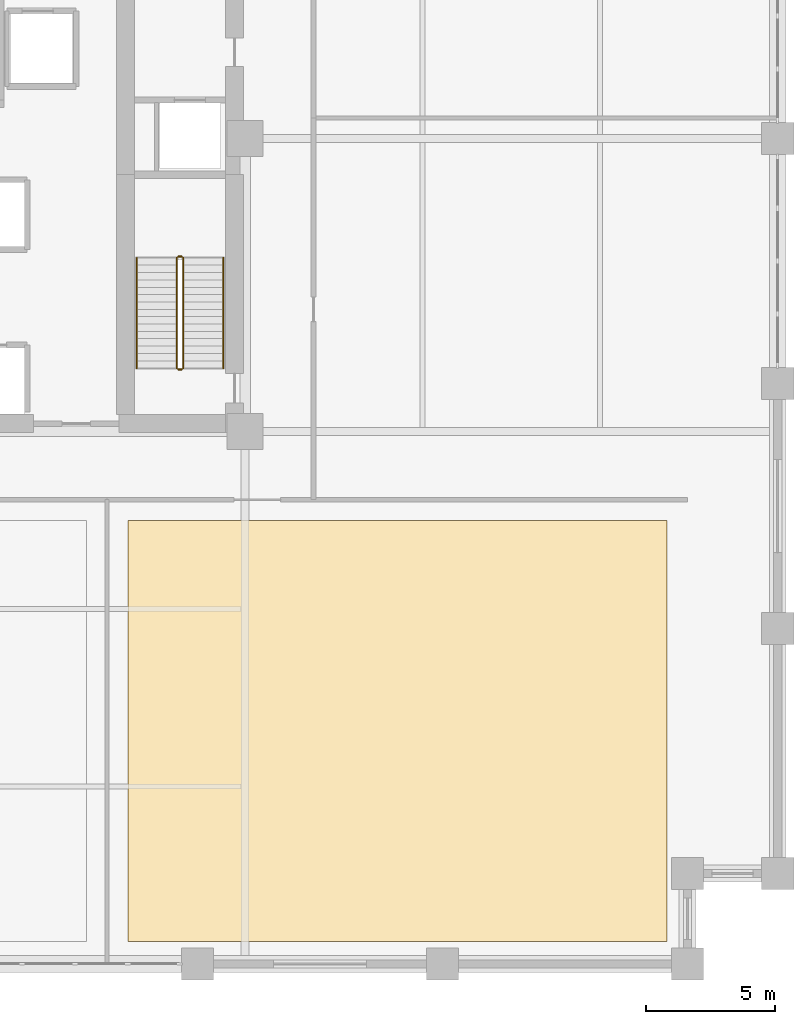
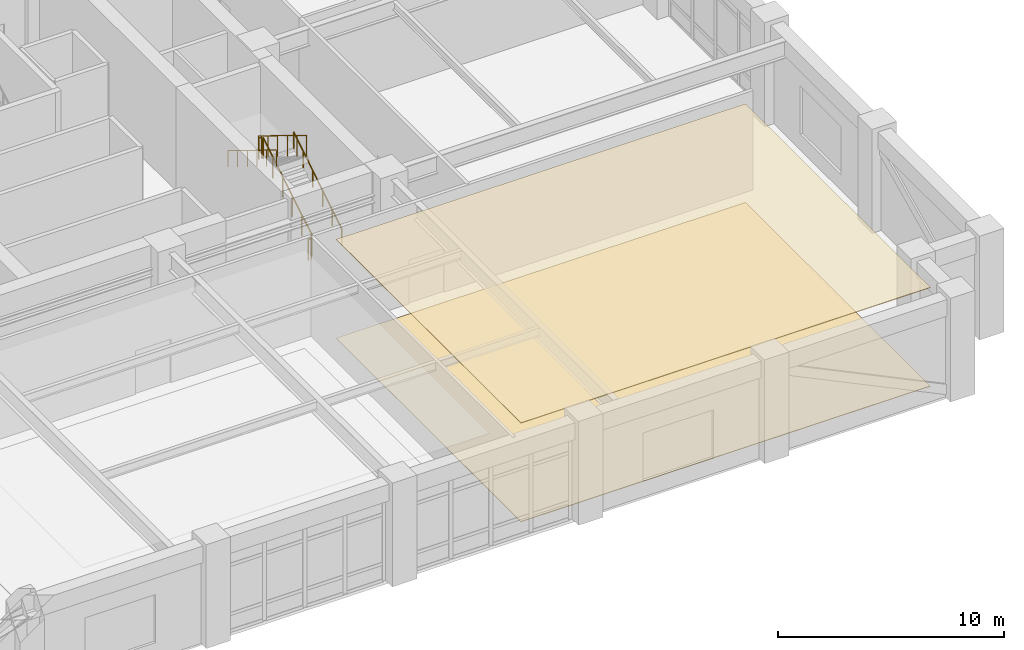
# One storey, part 18 of 21: 6 railings, 2 coverings.
"""IFC4 building model written with IfcOpenShell, lengths in metres."""

from ifc_helpers import new_model, si_unit, direction, frame, origin, origin_2d, place, context, subcontext, project, spatial, polyline, circle, outline, extrude, material, layer, layer_set, type_object, element, save


model = new_model("IFC4")

# Units and contexts
model_context = context("Model", 3, precision=1e-05, world=origin(), true_north=direction((0.0, 1.0)))
body_context = subcontext(model_context, "Body", "Model", "MODEL_VIEW")
ifc_project = project(units=[si_unit("LENGTHUNIT", "METRE"), si_unit("AREAUNIT", "SQUARE_METRE"), si_unit("VOLUMEUNIT", "CUBIC_METRE"), si_unit("PLANEANGLEUNIT", "RADIAN"), si_unit("MASSUNIT", "GRAM", prefix="KILO")], contexts=[model_context])

# Site, building, storey
site_placement = place(None, origin())
site = spatial("IfcSite", under=ifc_project, at=site_placement, CompositionType="ELEMENT")
building_placement = place(site_placement, origin())
building = spatial("IfcBuilding", under=site, at=building_placement, Name="Nhamokura Convention Tower", CompositionType="ELEMENT")
storey_placement = place(building_placement, frame((0.0, 0.0, 6.64990234375)))
storey = spatial("IfcBuildingStorey", under=building, at=storey_placement, Name="L01", CompositionType="ELEMENT", Elevation=6.64990234375)

# Coverings
ifc_material_1 = material(Name="Anodised bronze aluminium ceiling baffle", Category="aluminium")
ifc_layer_1 = layer(ifc_material_1, 0.0400390625)
ifc_layer_set_1 = layer_set([ifc_layer_1], Name="BronzeBaffleCeiling_40")
covering_type_1 = type_object("IfcCoveringType", Name="BronzeBaffleCeiling_40", PredefinedType="CEILING", material=ifc_layer_set_1)
covering_1_placement = place(storey_placement, frame((0.0, 0.0, 5.320068359375)))
element("IfcCovering", 1, at=covering_1_placement, inside=storey, type_object=covering_type_1, Name="L01 Suspended Ceiling 04", PredefinedType="CEILING", context=body_context, shape_type="SweptSolid", body=[
    extrude(outline(polyline([(38.800048828125, 0.860107421875), (59.699951171875, 0.860107421875), (59.699951171875, 17.199951171875), (38.800048828125, 17.199951171875), (38.800048828125, 0.860107421875)])), origin(), (0.0, 0.0, 1.0), 0.0400390625),
])
ifc_material_2 = material(Name="Polished Sabana granite terrazzo", Category="masonry")
ifc_layer_2 = layer(ifc_material_2, 0.030029296875)
ifc_layer_set_2 = layer_set([ifc_layer_2], Name="SabanaTerrazzoFlooring_30")
covering_type_2 = type_object("IfcCoveringType", Name="SabanaTerrazzoFlooring_30", PredefinedType="FLOORING", material=ifc_layer_set_2)
covering_2_placement = place(storey_placement, origin())
element("IfcCovering", 2, at=covering_2_placement, inside=storey, type_object=covering_type_2, Name="L01 Finish Flooring 04", PredefinedType="FLOORING", context=body_context, shape_type="SweptSolid", body=[
    extrude(outline(polyline([(38.800048828125, 0.860107421875), (59.699951171875, 0.860107421875), (59.699951171875, 17.199951171875), (38.800048828125, 17.199951171875), (38.800048828125, 0.860107421875)])), origin(), (0.0, 0.0, 1.0), 0.030029296875),
])

# Railings
ifc_material_3 = material(Name="Anodised bronze stainless steel", Category="steel")
railing_type_1 = type_object("IfcRailingType", Name="StairWallHandrail_900", PredefinedType="HANDRAIL", material=ifc_material_3)
railing_1_placement = place(storey_placement, frame((42.5, 23.10009765625, 0.175048828125)))
element("IfcRailing", 3, at=railing_1_placement, inside=storey, type_object=railing_type_1, Name="L01 ST-02 stair handrail 1", PredefinedType="HANDRAIL", context=body_context, shape_type="SweptSolid", body=[
    extrude(circle(Radius=0.02392578125, at=origin_2d()), frame((0.0, 0.0, 0.8759765625), z_axis=(0.0, 0.852165895541, 0.523271713813), x_axis=(-1.0, 0.0, 0.0)), (0.0, 0.0, 1.0), 5.0166015625),
    extrude(circle(Radius=0.02099609375, at=origin_2d()), origin(), (0.0, 0.0, 1.0), 0.851806640625),
    extrude(circle(Radius=0.02099609375, at=origin_2d()), frame((0.0, 0.85498046875, 0.52490234375)), (0.0, 0.0, 1.0), 0.851806640625),
    extrude(circle(Radius=0.02099609375, at=origin_2d()), frame((0.0, 1.7099609375, 1.050048828125)), (0.0, 0.0, 1.0), 0.851806640625),
    extrude(circle(Radius=0.02099609375, at=origin_2d()), frame((0.0, 2.56494140625, 1.574951171875)), (0.0, 0.0, 1.0), 0.851806640625),
    extrude(circle(Radius=0.02099609375, at=origin_2d()), frame((0.0, 3.419921875, 2.10009765625)), (0.0, 0.0, 1.0), 0.851806640625),
    extrude(circle(Radius=0.02099609375, at=origin_2d()), frame((0.0, 4.27490234375, 2.625)), (0.0, 0.0, 1.0), 0.851806640625),
])
railing_2_placement = place(storey_placement, frame((39.14990234375, 27.375, 2.97509765625)))
element("IfcRailing", 4, at=railing_2_placement, inside=storey, type_object=railing_type_1, Name="L01 ST-02 stair handrail 2", PredefinedType="HANDRAIL", context=body_context, shape_type="SweptSolid", body=[
    extrude(circle(Radius=0.02392578125, at=origin_2d()), frame((0.0, 0.0, 0.8759765625), z_axis=(0.0, -0.852165895541, 0.523271713813), x_axis=(1.0, 0.0, 0.0)), (0.0, 0.0, 1.0), 5.0166015625),
    extrude(circle(Radius=0.02099609375, at=origin_2d()), origin(), (0.0, 0.0, 1.0), 0.851806640625),
    extrude(circle(Radius=0.02099609375, at=origin_2d()), frame((0.0, -0.85498046875, 0.52490234375)), (0.0, 0.0, 1.0), 0.851806640625),
    extrude(circle(Radius=0.02099609375, at=origin_2d()), frame((0.0, -1.7099609375, 1.050048828125)), (0.0, 0.0, 1.0), 0.851806640625),
    extrude(circle(Radius=0.02099609375, at=origin_2d()), frame((0.0, -2.56494140625, 1.574951171875)), (0.0, 0.0, 1.0), 0.851806640625),
    extrude(circle(Radius=0.02099609375, at=origin_2d()), frame((0.0, -3.419921875, 2.10009765625)), (0.0, 0.0, 1.0), 0.851806640625),
    extrude(circle(Radius=0.02099609375, at=origin_2d()), frame((0.0, -4.27490234375, 2.625)), (0.0, 0.0, 1.0), 0.851806640625),
])
ifc_material_4 = material(Name="Painted tubular steel", Category="steel")
railing_type_2 = type_object("IfcRailingType", Name="StairWellGuardrail_1150", PredefinedType="GUARDRAIL", material=ifc_material_4)
railing_3_placement = place(storey_placement, frame((40.949951171875, 23.10009765625, 0.175048828125)))
element("IfcRailing", 5, at=railing_3_placement, inside=storey, type_object=railing_type_2, Name="L01 ST-02 stair guard 1", PredefinedType="GUARDRAIL", context=body_context, shape_type="SweptSolid", body=[
    extrude(circle(Radius=0.02392578125, at=origin_2d()), frame((0.0, 0.0, 1.1259765625), z_axis=(0.0, 0.852165895541, 0.523271713813), x_axis=(-1.0, 0.0, 0.0)), (0.0, 0.0, 1.0), 5.0166015625),
    extrude(circle(Radius=0.02099609375, at=origin_2d()), origin(), (0.0, 0.0, 1.0), 1.101806640625),
    extrude(circle(Radius=0.02099609375, at=origin_2d()), frame((0.0, 0.85498046875, 0.52490234375)), (0.0, 0.0, 1.0), 1.101806640625),
    extrude(circle(Radius=0.02099609375, at=origin_2d()), frame((0.0, 1.7099609375, 1.050048828125)), (0.0, 0.0, 1.0), 1.101806640625),
    extrude(circle(Radius=0.02099609375, at=origin_2d()), frame((0.0, 2.56494140625, 1.574951171875)), (0.0, 0.0, 1.0), 1.101806640625),
    extrude(circle(Radius=0.02099609375, at=origin_2d()), frame((0.0, 3.419921875, 2.10009765625)), (0.0, 0.0, 1.0), 1.101806640625),
    extrude(circle(Radius=0.02099609375, at=origin_2d()), frame((0.0, 4.27490234375, 2.625)), (0.0, 0.0, 1.0), 1.101806640625),
])
railing_4_placement = place(storey_placement, frame((40.89990234375, 27.425048828125, 2.800048828125)))
element("IfcRailing", 6, at=railing_4_placement, inside=storey, type_object=railing_type_2, Name="L01 ST-02 stair guard 2", PredefinedType="GUARDRAIL", context=body_context, shape_type="SweptSolid", body=[
    extrude(circle(Radius=0.02392578125, at=origin_2d()), frame((0.0, 0.0, 1.1259765625), z_axis=(-1.0, 0.0, 0.0), x_axis=(0.0, -1.0, 0.0)), (0.0, 0.0, 1.0), 0.14990234375),
    extrude(circle(Radius=0.02099609375, at=origin_2d()), origin(), (0.0, 0.0, 1.0), 1.101806640625),
    extrude(circle(Radius=0.02099609375, at=origin_2d()), frame((-0.14990234375, 0.0, 0.0)), (0.0, 0.0, 1.0), 1.101806640625),
])
railing_5_placement = place(storey_placement, frame((40.699951171875, 27.375, 2.97509765625)))
element("IfcRailing", 7, at=railing_5_placement, inside=storey, type_object=railing_type_2, Name="L01 ST-02 stair guard 3", PredefinedType="GUARDRAIL", context=body_context, shape_type="SweptSolid", body=[
    extrude(circle(Radius=0.02392578125, at=origin_2d()), frame((0.0, 0.0, 1.1259765625), z_axis=(0.0, -0.852165895541, 0.523271713813), x_axis=(1.0, 0.0, 0.0)), (0.0, 0.0, 1.0), 5.0166015625),
    extrude(circle(Radius=0.02099609375, at=origin_2d()), origin(), (0.0, 0.0, 1.0), 1.101806640625),
    extrude(circle(Radius=0.02099609375, at=origin_2d()), frame((0.0, -0.85498046875, 0.52490234375)), (0.0, 0.0, 1.0), 1.101806640625),
    extrude(circle(Radius=0.02099609375, at=origin_2d()), frame((0.0, -1.7099609375, 1.050048828125)), (0.0, 0.0, 1.0), 1.101806640625),
    extrude(circle(Radius=0.02099609375, at=origin_2d()), frame((0.0, -2.56494140625, 1.574951171875)), (0.0, 0.0, 1.0), 1.101806640625),
    extrude(circle(Radius=0.02099609375, at=origin_2d()), frame((0.0, -3.419921875, 2.10009765625)), (0.0, 0.0, 1.0), 1.101806640625),
    extrude(circle(Radius=0.02099609375, at=origin_2d()), frame((0.0, -4.27490234375, 2.625)), (0.0, 0.0, 1.0), 1.101806640625),
])
railing_6_placement = place(storey_placement, frame((40.89990234375, 23.050048828125, 0.0)))
element("IfcRailing", 8, at=railing_6_placement, inside=storey, type_object=railing_type_2, Name="L01 ST-02 stair guard 4", PredefinedType="GUARDRAIL", context=body_context, shape_type="SweptSolid", body=[
    extrude(circle(Radius=0.02392578125, at=origin_2d()), frame((0.0, 0.0, 1.1259765625), z_axis=(-1.0, 0.0, 0.0), x_axis=(0.0, -1.0, 0.0)), (0.0, 0.0, 1.0), 0.14990234375),
    extrude(circle(Radius=0.02099609375, at=origin_2d()), origin(), (0.0, 0.0, 1.0), 1.101806640625),
    extrude(circle(Radius=0.02099609375, at=origin_2d()), frame((-0.14990234375, 0.0, 0.0)), (0.0, 0.0, 1.0), 1.101806640625),
])

save(model, "model.ifc")
